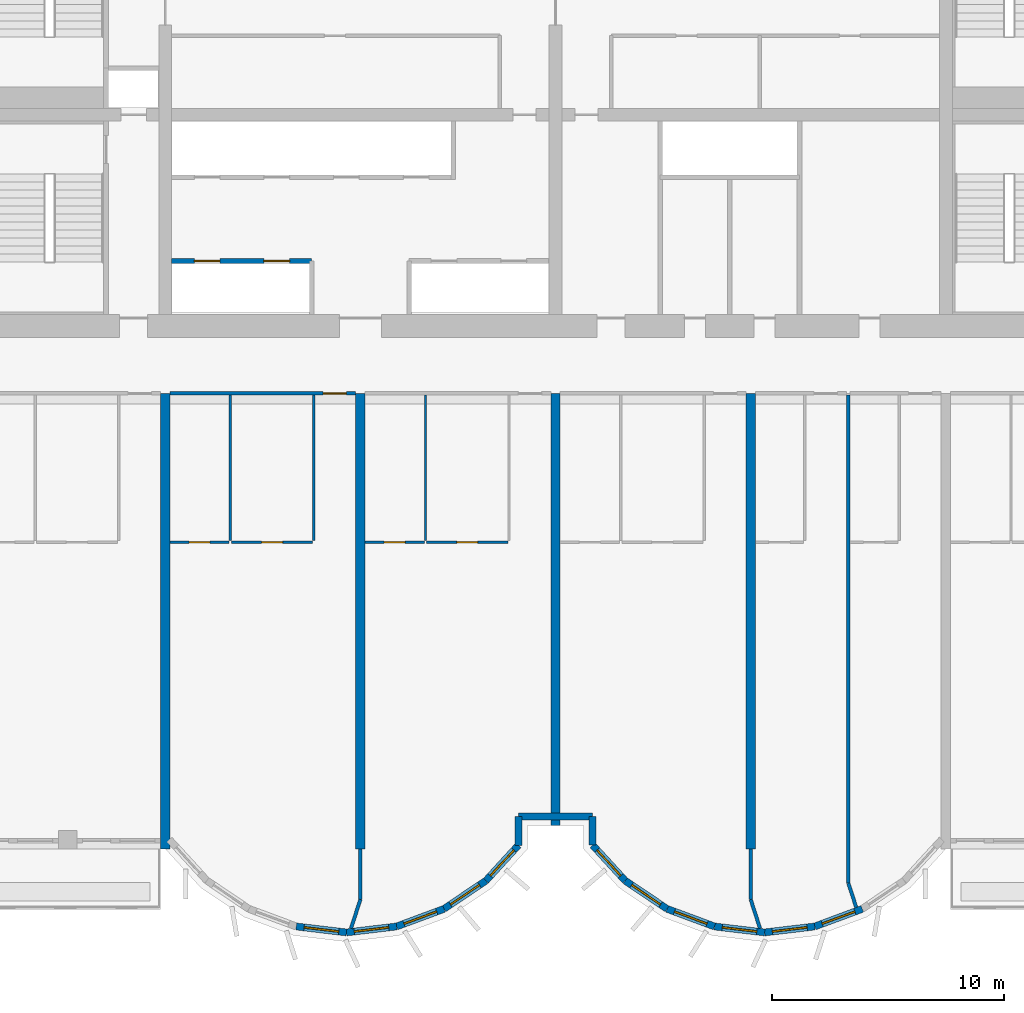
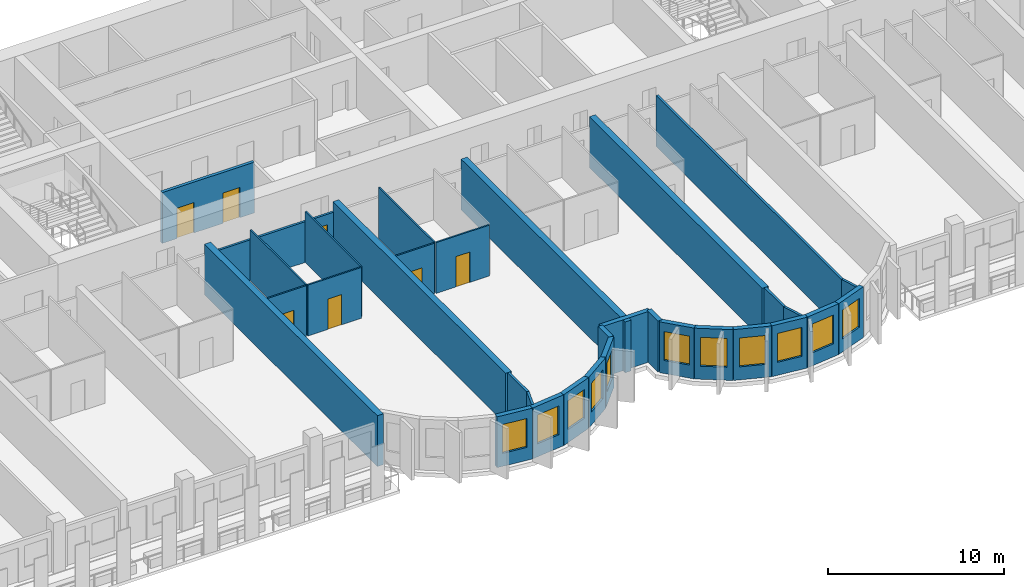
# One storey, part 4 of 15: 33 walls, 11 windows, 7 doors, 18 openings.
"""IFC4 building model written with IfcOpenShell, lengths in metres."""

from ifc_helpers import new_model, si_unit, direction, frame, frame_2d, origin, place, context, subcontext, project, spatial, rectangle, extrude, source, transform, mapped, material, layer, layer_set, type_object, element, fill, save


model = new_model("IFC4")

# Units and contexts
model_context = context("Model", 3, precision=1e-05, world=origin(), true_north=direction((0.0, 1.0)))
body_context = subcontext(model_context, "Body", "Model", "MODEL_VIEW")
ifc_project = project(units=[si_unit("LENGTHUNIT", "METRE"), si_unit("AREAUNIT", "SQUARE_METRE"), si_unit("VOLUMEUNIT", "CUBIC_METRE"), si_unit("PLANEANGLEUNIT", "RADIAN"), si_unit("MASSUNIT", "GRAM", prefix="KILO")], contexts=[model_context])

# Site, building, storey
site_placement = place(None, origin())
site = spatial("IfcSite", under=ifc_project, at=site_placement, CompositionType="ELEMENT")
building_placement = place(site_placement, origin())
building = spatial("IfcBuilding", under=site, at=building_placement, Name="Vanashikhar Sky Hotel", CompositionType="ELEMENT")
storey_placement = place(building_placement, frame((0.0, 0.0, 46.800048828125)))
storey = spatial("IfcBuildingStorey", under=building, at=storey_placement, Name="L10", CompositionType="ELEMENT", Elevation=46.800048828125)

# Walls
ifc_material_1 = material(Name="Concrete M80", Category="concrete")
ifc_layer_1 = layer(ifc_material_1, 0.39990234375)
ifc_layer_set_1 = layer_set([ifc_layer_1], Name="RC shear wall 400 Concrete M80")
wall_type_1 = type_object("IfcWallType", Name="RC shear wall 400 Concrete M80", PredefinedType="SHEAR", material=ifc_layer_set_1)
shared_shape_1 = source(origin(), body_context, "Body", "SweptSolid", [
    extrude(rectangle(XDim=19.60009765625, YDim=0.39990234375, at=frame_2d((9.800048828125, 0.0))), origin(), (0.0, 0.0, 1.0), 3.52001953125),
])
for number, where, z_axis, x_axis, name in (
    (1, (33.60009765625, 0.0, 0.0), (0.0, 0.0, 1.0), (0.0, 1.0, 0.0), "CW-L10-XW05-1"),
    (2, (42.0, 0.0, 0.0), (0.0, 0.0, 1.0), (0.0, 1.0, 0.0), "CW-L10-XW06-1"),
    (3, (58.800048828125, 0.0, 0.0), (0.0, 0.0, 1.0), (0.0, 1.0, 0.0), "CW-L10-XW08-1"),
):
    element("IfcWall", number, at=place(storey_placement, frame(where, z_axis=z_axis, x_axis=x_axis)), inside=storey, type_object=wall_type_1, Name=name, PredefinedType="SHEAR", context=body_context, shape_type="MappedRepresentation", body=[
        mapped(shared_shape_1, transform((0.0, 0.0, 0.0), scale=1.0)),
    ])
shared_shape_2 = source(origin(), body_context, "Body", "SweptSolid", [
    extrude(rectangle(XDim=18.60009765625, YDim=0.39990234375, at=frame_2d((9.300048828125, 0.0))), origin(), (0.0, 0.0, 1.0), 3.52001953125),
])
wall_1_placement = place(storey_placement, frame((50.39990234375, 1.0, 0.0), z_axis=(0.0, 0.0, 1.0), x_axis=(0.0, 1.0, 0.0)))
element("IfcWall", 4, at=wall_1_placement, inside=storey, type_object=wall_type_1, Name="CW-L10-XW07-1", PredefinedType="SHEAR", context=body_context, shape_type="MappedRepresentation", body=[
    mapped(shared_shape_2, transform((0.0, 0.0, 0.0), scale=1.0)),
])

# Wall, opening, window
ifc_material_2 = material(Name="Concrete M50", Category="concrete")
ifc_layer_2 = layer(ifc_material_2, 0.300048828125)
ifc_layer_set_2 = layer_set([ifc_layer_2], Name="Lobe wall 300")
wall_type_2 = type_object("IfcWallType", Name="Lobe wall 300", PredefinedType="SOLIDWALL", material=ifc_layer_set_2)
shared_shape_3 = source(origin(), body_context, "Body", "SweptSolid", [
    extrude(rectangle(XDim=2.17578125, YDim=0.300048828125, at=frame_2d((1.087890625, 0.0))), origin(), (0.0, 0.0, 1.0), 3.52001953125),
])
wall_2_placement = place(storey_placement, frame((45.59912109375, -2.58349609375, 0.0), z_axis=(0.0, 0.0, 1.0), x_axis=(0.829625727223, 0.558319937607, 0.0)))
wall_2 = element("IfcWall", 5, at=wall_2_placement, inside=storey, type_object=wall_type_2, Name="Lobe wall", PredefinedType="SOLIDWALL", context=body_context, shape_type="MappedRepresentation", body=[
    mapped(shared_shape_3, transform((0.0, 0.0, 0.0), scale=1.0)),
])
shared_shape_4 = source(origin(), body_context, "Body", "SweptSolid", [
    extrude(rectangle(XDim=1.5, YDim=2.0, at=frame_2d((0.75, 1.0))), frame((0.0, 0.16015625, 0.0), z_axis=(0.0, -1.0, 0.0), x_axis=(1.0, 0.0, 0.0)), (0.0, 0.0, 1.0), 0.320068359375),
])
opening_1_placement = place(wall_2_placement, frame((0.337890625, 0.0, 0.89990234375)))
opening_1 = element("IfcOpeningElement", 6, at=opening_1_placement, cuts=wall_2, Name="Opening WN-2", PredefinedType="OPENING", context=body_context, shape_type="MappedRepresentation", body=[
    mapped(shared_shape_4, transform((0.0, 0.0, 0.0), scale=1.0)),
])
ifc_material_3 = material(Name="Glass", Category="glass")
window_type = type_object("IfcWindowType", Name="Lobe window 1500 x 2000", PartitioningType="SINGLE_PANEL", PredefinedType="WINDOW", material=ifc_material_3)
shared_shape_5 = source(origin(), body_context, "Body", "SweptSolid", [
    extrude(rectangle(XDim=1.5, YDim=2.0, at=frame_2d((0.75, 1.0))), frame((0.0, 0.030029296875, 0.0), z_axis=(0.0, -1.0, 0.0), x_axis=(1.0, 0.0, 0.0)), (0.0, 0.0, 1.0), 0.06005859375),
])
window_1_placement = place(opening_1_placement, origin())
window_1 = element("IfcWindow", 7, at=window_1_placement, inside=storey, type_object=window_type, Name="Window WN-2", OverallHeight=2.0, OverallWidth=1.5, PartitioningType="SINGLE_PANEL", PredefinedType="WINDOW", context=body_context, shape_type="MappedRepresentation", body=[
    mapped(shared_shape_5, transform((0.0, 0.0, 0.0), scale=1.0)),
])
fill(opening_1, window_1)

wall_3_placement = place(storey_placement, frame((53.395751953125, -1.36865234375, 0.0), z_axis=(0.0, 0.0, 1.0), x_axis=(0.829590746428, -0.558371913192, 0.0)))
wall_3 = element("IfcWall", 8, at=wall_3_placement, inside=storey, type_object=wall_type_2, Name="Lobe wall", PredefinedType="SOLIDWALL", context=body_context, shape_type="MappedRepresentation", body=[
    mapped(shared_shape_3, transform((0.0, 0.0, 0.0), scale=1.0)),
])
opening_2_placement = place(wall_3_placement, frame((0.337890625, 0.0, 0.89990234375)))
opening_2 = element("IfcOpeningElement", 9, at=opening_2_placement, cuts=wall_3, Name="Opening WN-2", PredefinedType="OPENING", context=body_context, shape_type="MappedRepresentation", body=[
    mapped(shared_shape_4, transform((0.0, 0.0, 0.0), scale=1.0)),
])
window_2_placement = place(opening_2_placement, origin())
window_2 = element("IfcWindow", 10, at=window_2_placement, inside=storey, type_object=window_type, Name="Window WN-2", OverallHeight=2.0, OverallWidth=1.5, PartitioningType="SINGLE_PANEL", PredefinedType="WINDOW", context=body_context, shape_type="MappedRepresentation", body=[
    mapped(shared_shape_5, transform((0.0, 0.0, 0.0), scale=1.0)),
])
fill(opening_2, window_2)

wall_4_placement = place(storey_placement, frame((55.20068359375, -2.58349609375, 0.0), z_axis=(0.0, 0.0, 1.0), x_axis=(0.93754555999, -0.347862505801, 0.0)))
wall_4 = element("IfcWall", 11, at=wall_4_placement, inside=storey, type_object=wall_type_2, Name="Lobe wall", PredefinedType="SOLIDWALL", context=body_context, shape_type="MappedRepresentation", body=[
    mapped(shared_shape_3, transform((0.0, 0.0, 0.0), scale=1.0)),
])
opening_3_placement = place(wall_4_placement, frame((0.337890625, 0.0, 0.89990234375)))
opening_3 = element("IfcOpeningElement", 12, at=opening_3_placement, cuts=wall_4, Name="Opening WN-2", PredefinedType="OPENING", context=body_context, shape_type="MappedRepresentation", body=[
    mapped(shared_shape_4, transform((0.0, 0.0, 0.0), scale=1.0)),
])
window_3_placement = place(opening_3_placement, origin())
window_3 = element("IfcWindow", 13, at=window_3_placement, inside=storey, type_object=window_type, Name="Window WN-2", OverallHeight=2.0, OverallWidth=1.5, PartitioningType="SINGLE_PANEL", PredefinedType="WINDOW", context=body_context, shape_type="MappedRepresentation", body=[
    mapped(shared_shape_5, transform((0.0, 0.0, 0.0), scale=1.0)),
])
fill(opening_3, window_3)

shared_shape_6 = source(origin(), body_context, "Body", "SweptSolid", [
    extrude(rectangle(XDim=2.174560546875, YDim=0.300048828125, at=frame_2d((1.08740234375, 0.0))), origin(), (0.0, 0.0, 1.0), 3.52001953125),
])
wall_5_placement = place(storey_placement, frame((39.240478515625, -3.34033203125, 0.0), z_axis=(0.0, 0.0, 1.0), x_axis=(0.993001132889, -0.118104826659, 0.0)))
wall_5 = element("IfcWall", 14, at=wall_5_placement, inside=storey, type_object=wall_type_2, Name="Lobe wall", PredefinedType="SOLIDWALL", context=body_context, shape_type="MappedRepresentation", body=[
    mapped(shared_shape_6, transform((0.0, 0.0, 0.0), scale=1.0)),
])
opening_4_placement = place(wall_5_placement, frame((0.33740234375, 0.0, 0.89990234375)))
opening_4 = element("IfcOpeningElement", 15, at=opening_4_placement, cuts=wall_5, Name="Opening WN-2", PredefinedType="OPENING", context=body_context, shape_type="MappedRepresentation", body=[
    mapped(shared_shape_4, transform((0.0, 0.0, 0.0), scale=1.0)),
])
window_4_placement = place(opening_4_placement, origin())
window_4 = element("IfcWindow", 16, at=window_4_placement, inside=storey, type_object=window_type, Name="Window WN-2", OverallHeight=2.0, OverallWidth=1.5, PartitioningType="SINGLE_PANEL", PredefinedType="WINDOW", context=body_context, shape_type="MappedRepresentation", body=[
    mapped(shared_shape_5, transform((0.0, 0.0, 0.0), scale=1.0)),
])
fill(opening_4, window_4)

wall_6_placement = place(storey_placement, frame((57.240478515625, -3.34033203125, 0.0), z_axis=(0.0, 0.0, 1.0), x_axis=(0.993001132889, -0.118104826659, 0.0)))
wall_6 = element("IfcWall", 17, at=wall_6_placement, inside=storey, type_object=wall_type_2, Name="Lobe wall", PredefinedType="SOLIDWALL", context=body_context, shape_type="MappedRepresentation", body=[
    mapped(shared_shape_6, transform((0.0, 0.0, 0.0), scale=1.0)),
])
opening_5_placement = place(wall_6_placement, frame((0.33740234375, 0.0, 0.89990234375)))
opening_5 = element("IfcOpeningElement", 18, at=opening_5_placement, cuts=wall_6, Name="Opening WN-2", PredefinedType="OPENING", context=body_context, shape_type="MappedRepresentation", body=[
    mapped(shared_shape_4, transform((0.0, 0.0, 0.0), scale=1.0)),
])
window_5_placement = place(opening_5_placement, origin())
window_5 = element("IfcWindow", 19, at=window_5_placement, inside=storey, type_object=window_type, Name="Window WN-2", OverallHeight=2.0, OverallWidth=1.5, PartitioningType="SINGLE_PANEL", PredefinedType="WINDOW", context=body_context, shape_type="MappedRepresentation", body=[
    mapped(shared_shape_5, transform((0.0, 0.0, 0.0), scale=1.0)),
])
fill(opening_5, window_5)

shared_shape_7 = source(origin(), body_context, "Body", "SweptSolid", [
    extrude(rectangle(XDim=2.1748046875, YDim=0.300048828125, at=frame_2d((1.08740234375, 0.0))), origin(), (0.0, 0.0, 1.0), 3.52001953125),
])
wall_7_placement = place(storey_placement, frame((41.39990234375, -3.59716796875, 0.0), z_axis=(0.0, 0.0, 1.0), x_axis=(0.993002698611, 0.118091661648, 0.0)))
wall_7 = element("IfcWall", 20, at=wall_7_placement, inside=storey, type_object=wall_type_2, Name="Lobe wall", PredefinedType="SOLIDWALL", context=body_context, shape_type="MappedRepresentation", body=[
    mapped(shared_shape_7, transform((0.0, 0.0, 0.0), scale=1.0)),
])
opening_6_placement = place(wall_7_placement, frame((0.33740234375, 0.0, 0.89990234375)))
opening_6 = element("IfcOpeningElement", 21, at=opening_6_placement, cuts=wall_7, Name="Opening WN-2", PredefinedType="OPENING", context=body_context, shape_type="MappedRepresentation", body=[
    mapped(shared_shape_4, transform((0.0, 0.0, 0.0), scale=1.0)),
])
window_6_placement = place(opening_6_placement, origin())
window_6 = element("IfcWindow", 22, at=window_6_placement, inside=storey, type_object=window_type, Name="Window WN-2", OverallHeight=2.0, OverallWidth=1.5, PartitioningType="SINGLE_PANEL", PredefinedType="WINDOW", context=body_context, shape_type="MappedRepresentation", body=[
    mapped(shared_shape_5, transform((0.0, 0.0, 0.0), scale=1.0)),
])
fill(opening_6, window_6)

wall_8_placement = place(storey_placement, frame((59.39990234375, -3.59716796875, 0.0), z_axis=(0.0, 0.0, 1.0), x_axis=(0.993002698611, 0.118091661648, 0.0)))
wall_8 = element("IfcWall", 23, at=wall_8_placement, inside=storey, type_object=wall_type_2, Name="Lobe wall", PredefinedType="SOLIDWALL", context=body_context, shape_type="MappedRepresentation", body=[
    mapped(shared_shape_7, transform((0.0, 0.0, 0.0), scale=1.0)),
])
opening_7_placement = place(wall_8_placement, frame((0.33740234375, 0.0, 0.89990234375)))
opening_7 = element("IfcOpeningElement", 24, at=opening_7_placement, cuts=wall_8, Name="Opening WN-2", PredefinedType="OPENING", context=body_context, shape_type="MappedRepresentation", body=[
    mapped(shared_shape_4, transform((0.0, 0.0, 0.0), scale=1.0)),
])
window_7_placement = place(opening_7_placement, origin())
window_7 = element("IfcWindow", 25, at=window_7_placement, inside=storey, type_object=window_type, Name="Window WN-2", OverallHeight=2.0, OverallWidth=1.5, PartitioningType="SINGLE_PANEL", PredefinedType="WINDOW", context=body_context, shape_type="MappedRepresentation", body=[
    mapped(shared_shape_5, transform((0.0, 0.0, 0.0), scale=1.0)),
])
fill(opening_7, window_7)

shared_shape_8 = source(origin(), body_context, "Body", "SweptSolid", [
    extrude(rectangle(XDim=2.175537109375, YDim=0.300048828125, at=frame_2d((1.087890625, 0.0))), origin(), (0.0, 0.0, 1.0), 3.52001953125),
])
wall_9_placement = place(storey_placement, frame((43.5595703125, -3.34033203125, 0.0), z_axis=(0.0, 0.0, 1.0), x_axis=(0.937531979054, 0.347899106424, 0.0)))
wall_9 = element("IfcWall", 26, at=wall_9_placement, inside=storey, type_object=wall_type_2, Name="Lobe wall", PredefinedType="SOLIDWALL", context=body_context, shape_type="MappedRepresentation", body=[
    mapped(shared_shape_8, transform((0.0, 0.0, 0.0), scale=1.0)),
])
opening_8_placement = place(wall_9_placement, frame((0.337890625, 0.0, 0.89990234375)))
opening_8 = element("IfcOpeningElement", 27, at=opening_8_placement, cuts=wall_9, Name="Opening WN-2", PredefinedType="OPENING", context=body_context, shape_type="MappedRepresentation", body=[
    mapped(shared_shape_4, transform((0.0, 0.0, 0.0), scale=1.0)),
])
window_8_placement = place(opening_8_placement, origin())
window_8 = element("IfcWindow", 28, at=window_8_placement, inside=storey, type_object=window_type, Name="Window WN-2", OverallHeight=2.0, OverallWidth=1.5, PartitioningType="SINGLE_PANEL", PredefinedType="WINDOW", context=body_context, shape_type="MappedRepresentation", body=[
    mapped(shared_shape_5, transform((0.0, 0.0, 0.0), scale=1.0)),
])
fill(opening_8, window_8)

wall_10_placement = place(storey_placement, frame((61.5595703125, -3.34033203125, 0.0), z_axis=(0.0, 0.0, 1.0), x_axis=(0.937531979054, 0.347899106424, 0.0)))
wall_10 = element("IfcWall", 29, at=wall_10_placement, inside=storey, type_object=wall_type_2, Name="Lobe wall", PredefinedType="SOLIDWALL", context=body_context, shape_type="MappedRepresentation", body=[
    mapped(shared_shape_8, transform((0.0, 0.0, 0.0), scale=1.0)),
])
opening_9_placement = place(wall_10_placement, frame((0.337890625, 0.0, 0.89990234375)))
opening_9 = element("IfcOpeningElement", 30, at=opening_9_placement, cuts=wall_10, Name="Opening WN-2", PredefinedType="OPENING", context=body_context, shape_type="MappedRepresentation", body=[
    mapped(shared_shape_4, transform((0.0, 0.0, 0.0), scale=1.0)),
])
window_9_placement = place(opening_9_placement, origin())
window_9 = element("IfcWindow", 31, at=window_9_placement, inside=storey, type_object=window_type, Name="Window WN-2", OverallHeight=2.0, OverallWidth=1.5, PartitioningType="SINGLE_PANEL", PredefinedType="WINDOW", context=body_context, shape_type="MappedRepresentation", body=[
    mapped(shared_shape_5, transform((0.0, 0.0, 0.0), scale=1.0)),
])
fill(opening_9, window_9)

shared_shape_9 = source(origin(), body_context, "Body", "SweptSolid", [
    extrude(rectangle(XDim=2.066650390625, YDim=0.300048828125, at=frame_2d((1.033203125, 0.0))), origin(), (0.0, 0.0, 1.0), 3.52001953125),
])
wall_11_placement = place(storey_placement, frame((47.404296875, -1.36865234375, 0.0), z_axis=(0.0, 0.0, 1.0), x_axis=(0.675355439877, 0.737492393065, 0.0)))
wall_11 = element("IfcWall", 32, at=wall_11_placement, inside=storey, type_object=wall_type_2, Name="Lobe wall", PredefinedType="SOLIDWALL", context=body_context, shape_type="MappedRepresentation", body=[
    mapped(shared_shape_9, transform((0.0, 0.0, 0.0), scale=1.0)),
])
opening_10_placement = place(wall_11_placement, frame((0.283447265625, 0.0, 0.89990234375)))
opening_10 = element("IfcOpeningElement", 33, at=opening_10_placement, cuts=wall_11, Name="Opening WN-2", PredefinedType="OPENING", context=body_context, shape_type="MappedRepresentation", body=[
    mapped(shared_shape_4, transform((0.0, 0.0, 0.0), scale=1.0)),
])
window_10_placement = place(opening_10_placement, origin())
window_10 = element("IfcWindow", 34, at=window_10_placement, inside=storey, type_object=window_type, Name="Window WN-2", OverallHeight=2.0, OverallWidth=1.5, PartitioningType="SINGLE_PANEL", PredefinedType="WINDOW", context=body_context, shape_type="MappedRepresentation", body=[
    mapped(shared_shape_5, transform((0.0, 0.0, 0.0), scale=1.0)),
])
fill(opening_10, window_10)

wall_12_placement = place(storey_placement, frame((52.0, 0.155517578125, 0.0), z_axis=(0.0, 0.0, 1.0), x_axis=(0.675355439877, -0.737492393065, 0.0)))
wall_12 = element("IfcWall", 35, at=wall_12_placement, inside=storey, type_object=wall_type_2, Name="Lobe wall", PredefinedType="SOLIDWALL", context=body_context, shape_type="MappedRepresentation", body=[
    mapped(shared_shape_9, transform((0.0, 0.0, 0.0), scale=1.0)),
])
opening_11_placement = place(wall_12_placement, frame((0.283447265625, 0.0, 0.89990234375)))
opening_11 = element("IfcOpeningElement", 36, at=opening_11_placement, cuts=wall_12, Name="Opening WN-2", PredefinedType="OPENING", context=body_context, shape_type="MappedRepresentation", body=[
    mapped(shared_shape_4, transform((0.0, 0.0, 0.0), scale=1.0)),
])
window_11_placement = place(opening_11_placement, origin())
window_11 = element("IfcWindow", 37, at=window_11_placement, inside=storey, type_object=window_type, Name="Window WN-2", OverallHeight=2.0, OverallWidth=1.5, PartitioningType="SINGLE_PANEL", PredefinedType="WINDOW", context=body_context, shape_type="MappedRepresentation", body=[
    mapped(shared_shape_5, transform((0.0, 0.0, 0.0), scale=1.0)),
])
fill(opening_11, window_11)

# Walls
shared_shape_10 = source(origin(), body_context, "Body", "SweptSolid", [
    extrude(rectangle(XDim=1.244384765625, YDim=0.300048828125, at=frame_2d((0.6220703125, 0.0))), origin(), (0.0, 0.0, 1.0), 3.52001953125),
])
for number, where, z_axis, x_axis, name in (
    (38, (48.800048828125, 0.155517578125, 0.0), (0.0, 0.0, 1.0), (0.0, 1.0, 0.0), "Groove wall"),
    (39, (52.0, 1.39990234375, 0.0), (0.0, 0.0, 1.0), (0.0, -1.0, 0.0), "Groove wall"),
):
    element("IfcWall", number, at=place(storey_placement, frame(where, z_axis=z_axis, x_axis=x_axis)), inside=storey, type_object=wall_type_2, Name=name, PredefinedType="SOLIDWALL", context=body_context, shape_type="MappedRepresentation", body=[
        mapped(shared_shape_10, transform((0.0, 0.0, 0.0), scale=1.0)),
    ])
shared_shape_11 = source(origin(), body_context, "Body", "SweptSolid", [
    extrude(rectangle(XDim=3.199951171875, YDim=0.300048828125, at=frame_2d((1.60009765625, 0.0))), origin(), (0.0, 0.0, 1.0), 3.52001953125),
])
wall_13_placement = place(storey_placement, frame((48.800048828125, 1.39990234375, 0.0), z_axis=(0.0, 0.0, 1.0), x_axis=(1.0, 0.0, 0.0)))
element("IfcWall", 40, at=wall_13_placement, inside=storey, type_object=wall_type_2, Name="Groove wall", PredefinedType="SOLIDWALL", context=body_context, shape_type="MappedRepresentation", body=[
    mapped(shared_shape_11, transform((0.0, 0.0, 0.0), scale=1.0)),
])

# Wall, openings, doors
ifc_material_4 = material(Name="Concrete M40", Category="concrete")
ifc_layer_3 = layer(ifc_material_4, 0.199951171875)
ifc_layer_set_3 = layer_set([ifc_layer_3], Name="Shaft wall 200")
wall_type_3 = type_object("IfcWallType", Name="Shaft wall 200", PredefinedType="SOLIDWALL", material=ifc_layer_set_3)
shared_shape_12 = source(origin(), body_context, "Body", "SweptSolid", [
    extrude(rectangle(XDim=6.02490234375, YDim=0.199951171875, at=frame_2d((3.012451171875, 0.0))), origin(), (0.0, 0.0, 1.0), 3.52001953125),
])
wall_14_placement = place(storey_placement, frame((33.875, 25.300048828125, 0.0), z_axis=(0.0, 0.0, 1.0), x_axis=(1.0, 0.0, 0.0)))
wall_14 = element("IfcWall", 41, at=wall_14_placement, inside=storey, type_object=wall_type_3, Name="Shaft wall 200", PredefinedType="SOLIDWALL", context=body_context, shape_type="MappedRepresentation", body=[
    mapped(shared_shape_12, transform((0.0, 0.0, 0.0), scale=1.0)),
])
shared_shape_13 = source(origin(), body_context, "Body", "SweptSolid", [
    extrude(rectangle(XDim=1.10009765625, YDim=2.10009765625, at=frame_2d((0.550048828125, 1.050048828125))), frame((0.0, 0.10986328125, 0.0), z_axis=(0.0, -1.0, 0.0), x_axis=(1.0, 0.0, 0.0)), (0.0, 0.0, 1.0), 0.219970703125),
])
opening_12_placement = place(wall_14_placement, frame((0.97509765625, 0.0, 0.0)))
opening_12 = element("IfcOpeningElement", 42, at=opening_12_placement, cuts=wall_14, Name="Opening LD", PredefinedType="OPENING", context=body_context, shape_type="MappedRepresentation", body=[
    mapped(shared_shape_13, transform((0.0, 0.0, 0.0), scale=1.0)),
])
opening_13_placement = place(wall_14_placement, frame((3.97509765625, 0.0, 0.0)))
opening_13 = element("IfcOpeningElement", 43, at=opening_13_placement, cuts=wall_14, Name="Opening LD", PredefinedType="OPENING", context=body_context, shape_type="MappedRepresentation", body=[
    mapped(shared_shape_13, transform((0.0, 0.0, 0.0), scale=1.0)),
])
ifc_material_5 = material(Name="Stainless steel", Category="steel")
door_type_1 = type_object("IfcDoorType", Name="Lift landing door 1100", OperationType="NOTDEFINED", PredefinedType="DOOR", material=ifc_material_5)
shared_shape_14 = source(origin(), body_context, "Body", "SweptSolid", [
    extrude(rectangle(XDim=1.10009765625, YDim=2.10009765625, at=frame_2d((0.550048828125, 1.050048828125))), frame((0.0, 0.02490234375, 0.0), z_axis=(0.0, -1.0, 0.0), x_axis=(1.0, 0.0, 0.0)), (0.0, 0.0, 1.0), 0.050048828125),
])
door_1_placement = place(opening_12_placement, origin())
door_1 = element("IfcDoor", 44, at=door_1_placement, inside=storey, type_object=door_type_1, Name="Lift landing door 1100", OperationType="SLIDING_TO_LEFT", OverallHeight=2.10009765625, OverallWidth=1.10009765625, PredefinedType="DOOR", context=body_context, shape_type="MappedRepresentation", body=[
    mapped(shared_shape_14, transform((0.0, 0.0, 0.0), scale=1.0)),
])
fill(opening_12, door_1)
door_2_placement = place(opening_13_placement, origin())
door_2 = element("IfcDoor", 45, at=door_2_placement, inside=storey, type_object=door_type_1, Name="Lift landing door 1100", OperationType="SLIDING_TO_RIGHT", OverallHeight=2.10009765625, OverallWidth=1.10009765625, PredefinedType="DOOR", context=body_context, shape_type="MappedRepresentation", body=[
    mapped(shared_shape_14, transform((0.0, 0.0, 0.0), scale=1.0)),
])
fill(opening_13, door_2)

# Walls
ifc_material_6 = material(Name="Gypsum plasterboard partition")
ifc_layer_4 = layer(ifc_material_6, 0.14990234375)
ifc_layer_set_4 = layer_set([ifc_layer_4], Name="Corridor and demising partition 150")
wall_type_4 = type_object("IfcWallType", Name="Corridor and demising partition 150", PredefinedType="PARTITIONING", material=ifc_layer_set_4)
shared_shape_15 = source(origin(), body_context, "Body", "SweptSolid", [
    extrude(rectangle(XDim=20.997802734375, YDim=0.14990234375, at=frame_2d((10.4990234375, 0.0))), origin(), (0.0, 0.0, 1.0), 3.52001953125),
])
wall_15_placement = place(storey_placement, frame((63.0, -1.472900390625, 0.0), z_axis=(0.0, 0.0, 1.0), x_axis=(0.0, 1.0, 0.0)))
element("IfcWall", 46, at=wall_15_placement, inside=storey, type_object=wall_type_4, Name="W-L10-PW044", PredefinedType="PARTITIONING", context=body_context, shape_type="MappedRepresentation", body=[
    mapped(shared_shape_15, transform((0.0, 0.0, 0.0), scale=1.0)),
])
shared_shape_16 = source(origin(), body_context, "Body", "SweptSolid", [
    extrude(rectangle(XDim=2.177978515625, YDim=0.14990234375, at=frame_2d((1.0888671875, 0.0))), origin(), (0.0, 0.0, 1.0), 3.52001953125),
])
for number, where, z_axis, x_axis, name in (
    (47, (42.0, -2.177978515625, 0.0), (0.0, 0.0, 1.0), (0.0, 1.0, 0.0), "W-L10-PW068"),
    (48, (58.800048828125, -2.177978515625, 0.0), (0.0, 0.0, 1.0), (0.0, 1.0, 0.0), "W-L10-PW069"),
):
    element("IfcWall", number, at=place(storey_placement, frame(where, z_axis=z_axis, x_axis=x_axis)), inside=storey, type_object=wall_type_4, Name=name, PredefinedType="PARTITIONING", context=body_context, shape_type="MappedRepresentation", body=[
        mapped(shared_shape_16, transform((0.0, 0.0, 0.0), scale=1.0)),
    ])

# Wall, opening, door
ifc_layer_5 = layer(ifc_material_6, 0.10009765625)
ifc_layer_set_5 = layer_set([ifc_layer_5], Name="Wet room partition 100")
wall_type_5 = type_object("IfcWallType", Name="Wet room partition 100", PredefinedType="PARTITIONING", material=ifc_layer_set_5)
shared_shape_17 = source(origin(), body_context, "Body", "SweptSolid", [
    extrude(rectangle(XDim=3.5, YDim=0.10009765625, at=frame_2d((1.75, 0.0))), origin(), (0.0, 0.0, 1.0), 3.52001953125),
])
wall_16_placement = place(storey_placement, frame((36.449951171875, 13.199951171875, 0.0), z_axis=(0.0, 0.0, 1.0), x_axis=(1.0, 0.0, 0.0)))
wall_16 = element("IfcWall", 49, at=wall_16_placement, inside=storey, type_object=wall_type_5, Name="W-L10-PW025", PredefinedType="PARTITIONING", context=body_context, shape_type="MappedRepresentation", body=[
    mapped(shared_shape_17, transform((0.0, 0.0, 0.0), scale=1.0)),
])
shared_shape_18 = source(origin(), body_context, "Body", "SweptSolid", [
    extrude(rectangle(XDim=0.89990234375, YDim=2.10009765625, at=frame_2d((0.449951171875, 1.050048828125))), frame((0.0, 0.06005859375, 0.0), z_axis=(0.0, -1.0, 0.0), x_axis=(1.0, 0.0, 0.0)), (0.0, 0.0, 1.0), 0.1201171875),
])
opening_14_placement = place(wall_16_placement, frame((1.300048828125, 0.0, 0.0)))
opening_14 = element("IfcOpeningElement", 50, at=opening_14_placement, cuts=wall_16, Name="Opening D-02", PredefinedType="OPENING", context=body_context, shape_type="MappedRepresentation", body=[
    mapped(shared_shape_18, transform((0.0, 0.0, 0.0), scale=1.0)),
])
ifc_material_7 = material(Name="Timber door", Category="wood")
door_type_2 = type_object("IfcDoorType", Name="Internal door 900", OperationType="NOTDEFINED", PredefinedType="DOOR", material=ifc_material_7)
shared_shape_19 = source(origin(), body_context, "Body", "SweptSolid", [
    extrude(rectangle(XDim=0.89990234375, YDim=2.10009765625, at=frame_2d((0.449951171875, 1.050048828125))), frame((0.0, 0.02490234375, 0.0), z_axis=(0.0, -1.0, 0.0), x_axis=(1.0, 0.0, 0.0)), (0.0, 0.0, 1.0), 0.050048828125),
])
door_3_placement = place(opening_14_placement, origin())
door_3 = element("IfcDoor", 51, at=door_3_placement, inside=storey, type_object=door_type_2, Name="D-L10-014", OperationType="SINGLE_SWING_RIGHT", OverallHeight=2.10009765625, OverallWidth=0.89990234375, PredefinedType="DOOR", context=body_context, shape_type="MappedRepresentation", body=[
    mapped(shared_shape_19, transform((0.0, 0.0, 0.0), scale=1.0)),
])
fill(opening_14, door_3)

wall_17_placement = place(storey_placement, frame((44.85009765625, 13.199951171875, 0.0), z_axis=(0.0, 0.0, 1.0), x_axis=(1.0, 0.0, 0.0)))
wall_17 = element("IfcWall", 52, at=wall_17_placement, inside=storey, type_object=wall_type_5, Name="W-L10-PW030", PredefinedType="PARTITIONING", context=body_context, shape_type="MappedRepresentation", body=[
    mapped(shared_shape_17, transform((0.0, 0.0, 0.0), scale=1.0)),
])
opening_15_placement = place(wall_17_placement, frame((1.300048828125, 0.0, 0.0)))
opening_15 = element("IfcOpeningElement", 53, at=opening_15_placement, cuts=wall_17, Name="Opening D-02", PredefinedType="OPENING", context=body_context, shape_type="MappedRepresentation", body=[
    mapped(shared_shape_18, transform((0.0, 0.0, 0.0), scale=1.0)),
])
door_4_placement = place(opening_15_placement, origin())
door_4 = element("IfcDoor", 54, at=door_4_placement, inside=storey, type_object=door_type_2, Name="D-L10-017", OperationType="SINGLE_SWING_RIGHT", OverallHeight=2.10009765625, OverallWidth=0.89990234375, PredefinedType="DOOR", context=body_context, shape_type="MappedRepresentation", body=[
    mapped(shared_shape_19, transform((0.0, 0.0, 0.0), scale=1.0)),
])
fill(opening_15, door_4)

# Walls
shared_shape_20 = source(origin(), body_context, "Body", "SweptSolid", [
    extrude(rectangle(XDim=1.100830078125, YDim=0.14990234375, at=frame_2d((0.55029296875, 0.0))), origin(), (0.0, 0.0, 1.0), 3.52001953125),
])
wall_18_placement = place(storey_placement, frame((63.343017578125, -2.51904296875, 0.0), z_axis=(0.0, 0.0, 1.0), x_axis=(-0.311567081539, 0.950224159712, 0.0)))
element("IfcWall", 55, at=wall_18_placement, inside=storey, type_object=wall_type_4, Name="W-L10-PW044B0", PredefinedType="PARTITIONING", context=body_context, shape_type="MappedRepresentation", body=[
    mapped(shared_shape_20, transform((0.0, 0.0, 0.0), scale=1.0)),
])
shared_shape_21 = source(origin(), body_context, "Body", "SweptSolid", [
    extrude(rectangle(XDim=1.308349609375, YDim=0.14990234375, at=frame_2d((0.654296875, 0.0))), origin(), (0.0, 0.0, 1.0), 3.52001953125),
])
for number, where, z_axis, x_axis, name in (
    (56, (41.597900390625, -3.423095703125, 0.0), (0.0, 0.0, 1.0), (0.307313512187, 0.951608325535, 0.0), "W-L10-PW068B0"),
    (57, (59.201904296875, -3.423095703125, 0.0), (0.0, 0.0, 1.0), (-0.307144529633, 0.951662880392, 0.0), "W-L10-PW069B0"),
):
    element("IfcWall", number, at=place(storey_placement, frame(where, z_axis=z_axis, x_axis=x_axis)), inside=storey, type_object=wall_type_4, Name=name, PredefinedType="PARTITIONING", context=body_context, shape_type="MappedRepresentation", body=[
        mapped(shared_shape_21, transform((0.0, 0.0, 0.0), scale=1.0)),
    ])
shared_shape_22 = source(origin(), body_context, "Body", "SweptSolid", [
    extrude(rectangle(XDim=6.25, YDim=0.10009765625, at=frame_2d((3.125, 0.0))), origin(), (0.0, 0.0, 1.0), 3.52001953125),
])
for number, where, z_axis, x_axis, name in (
    (58, (40.0, 13.27490234375, 0.0), (0.0, 0.0, 1.0), (0.0, 1.0, 0.0), "W-L10-PW023"),
    (59, (36.39990234375, 13.27490234375, 0.0), (0.0, 0.0, 1.0), (0.0, 1.0, 0.0), "W-L10-PW024"),
    (60, (44.800048828125, 13.27490234375, 0.0), (0.0, 0.0, 1.0), (0.0, 1.0, 0.0), "W-L10-PW029"),
):
    element("IfcWall", number, at=place(storey_placement, frame(where, z_axis=z_axis, x_axis=x_axis)), inside=storey, type_object=wall_type_5, Name=name, PredefinedType="PARTITIONING", context=body_context, shape_type="MappedRepresentation", body=[
        mapped(shared_shape_22, transform((0.0, 0.0, 0.0), scale=1.0)),
    ])

# Wall, opening, door
shared_shape_23 = source(origin(), body_context, "Body", "SweptSolid", [
    extrude(rectangle(XDim=2.550048828125, YDim=0.10009765625, at=frame_2d((1.27490234375, 0.0))), origin(), (0.0, 0.0, 1.0), 3.52001953125),
])
wall_19_placement = place(storey_placement, frame((33.800048828125, 13.199951171875, 0.0), z_axis=(0.0, 0.0, 1.0), x_axis=(1.0, 0.0, 0.0)))
wall_19 = element("IfcWall", 61, at=wall_19_placement, inside=storey, type_object=wall_type_5, Name="W-L10-PW026", PredefinedType="PARTITIONING", context=body_context, shape_type="MappedRepresentation", body=[
    mapped(shared_shape_23, transform((0.0, 0.0, 0.0), scale=1.0)),
])
opening_16_placement = place(wall_19_placement, frame((0.824951171875, 0.0, 0.0)))
opening_16 = element("IfcOpeningElement", 62, at=opening_16_placement, cuts=wall_19, Name="Opening D-02", PredefinedType="OPENING", context=body_context, shape_type="MappedRepresentation", body=[
    mapped(shared_shape_18, transform((0.0, 0.0, 0.0), scale=1.0)),
])
door_5_placement = place(opening_16_placement, origin())
door_5 = element("IfcDoor", 63, at=door_5_placement, inside=storey, type_object=door_type_2, Name="D-L10-015", OperationType="SINGLE_SWING_RIGHT", OverallHeight=2.10009765625, OverallWidth=0.89990234375, PredefinedType="DOOR", context=body_context, shape_type="MappedRepresentation", body=[
    mapped(shared_shape_19, transform((0.0, 0.0, 0.0), scale=1.0)),
])
fill(opening_16, door_5)

wall_20_placement = place(storey_placement, frame((42.199951171875, 13.199951171875, 0.0), z_axis=(0.0, 0.0, 1.0), x_axis=(1.0, 0.0, 0.0)))
wall_20 = element("IfcWall", 64, at=wall_20_placement, inside=storey, type_object=wall_type_5, Name="W-L10-PW031", PredefinedType="PARTITIONING", context=body_context, shape_type="MappedRepresentation", body=[
    mapped(shared_shape_23, transform((0.0, 0.0, 0.0), scale=1.0)),
])
opening_17_placement = place(wall_20_placement, frame((0.824951171875, 0.0, 0.0)))
opening_17 = element("IfcOpeningElement", 65, at=opening_17_placement, cuts=wall_20, Name="Opening D-02", PredefinedType="OPENING", context=body_context, shape_type="MappedRepresentation", body=[
    mapped(shared_shape_18, transform((0.0, 0.0, 0.0), scale=1.0)),
])
door_6_placement = place(opening_17_placement, origin())
door_6 = element("IfcDoor", 66, at=door_6_placement, inside=storey, type_object=door_type_2, Name="D-L10-018", OperationType="SINGLE_SWING_RIGHT", OverallHeight=2.10009765625, OverallWidth=0.89990234375, PredefinedType="DOOR", context=body_context, shape_type="MappedRepresentation", body=[
    mapped(shared_shape_19, transform((0.0, 0.0, 0.0), scale=1.0)),
])
fill(opening_17, door_6)

shared_shape_24 = source(origin(), body_context, "Body", "SweptSolid", [
    extrude(rectangle(XDim=8.0, YDim=0.14990234375, at=frame_2d((4.0, 0.0))), origin(), (0.0, 0.0, 1.0), 2.820068359375),
])
wall_21_placement = place(storey_placement, frame((33.800048828125, 19.60009765625, 0.0), z_axis=(0.0, 0.0, 1.0), x_axis=(1.0, 0.0, 0.0)))
wall_21 = element("IfcWall", 67, at=wall_21_placement, inside=storey, type_object=wall_type_4, Name="W-L10-PW027", PredefinedType="PARTITIONING", context=body_context, shape_type="MappedRepresentation", body=[
    mapped(shared_shape_24, transform((0.0, 0.0, 0.0), scale=1.0)),
])
shared_shape_25 = source(origin(), body_context, "Body", "SweptSolid", [
    extrude(rectangle(XDim=1.0, YDim=2.10009765625, at=frame_2d((0.5, 1.050048828125))), frame((0.0, 0.0849609375, 0.0), z_axis=(0.0, -1.0, 0.0), x_axis=(1.0, 0.0, 0.0)), (0.0, 0.0, 1.0), 0.169921875),
])
opening_18_placement = place(wall_21_placement, frame((6.60009765625, 0.0, 0.0)))
opening_18 = element("IfcOpeningElement", 68, at=opening_18_placement, cuts=wall_21, Name="Opening D-01", PredefinedType="OPENING", context=body_context, shape_type="MappedRepresentation", body=[
    mapped(shared_shape_25, transform((0.0, 0.0, 0.0), scale=1.0)),
])
ifc_material_8 = material(Name="Timber fire door", Category="wood")
door_type_3 = type_object("IfcDoorType", Name="Guest entry door 1000 FD30S", OperationType="NOTDEFINED", PredefinedType="DOOR", material=ifc_material_8)
shared_shape_26 = source(origin(), body_context, "Body", "SweptSolid", [
    extrude(rectangle(XDim=1.0, YDim=2.10009765625, at=frame_2d((0.5, 1.050048828125))), frame((0.0, 0.02490234375, 0.0), z_axis=(0.0, -1.0, 0.0), x_axis=(1.0, 0.0, 0.0)), (0.0, 0.0, 1.0), 0.050048828125),
])
door_7_placement = place(opening_18_placement, origin())
door_7 = element("IfcDoor", 69, at=door_7_placement, inside=storey, type_object=door_type_3, Name="D-L10-016", OperationType="SINGLE_SWING_RIGHT", OverallHeight=2.10009765625, OverallWidth=1.0, PredefinedType="DOOR", context=body_context, shape_type="MappedRepresentation", body=[
    mapped(shared_shape_26, transform((0.0, 0.0, 0.0), scale=1.0)),
])
fill(opening_18, door_7)

save(model, "model.ifc")
